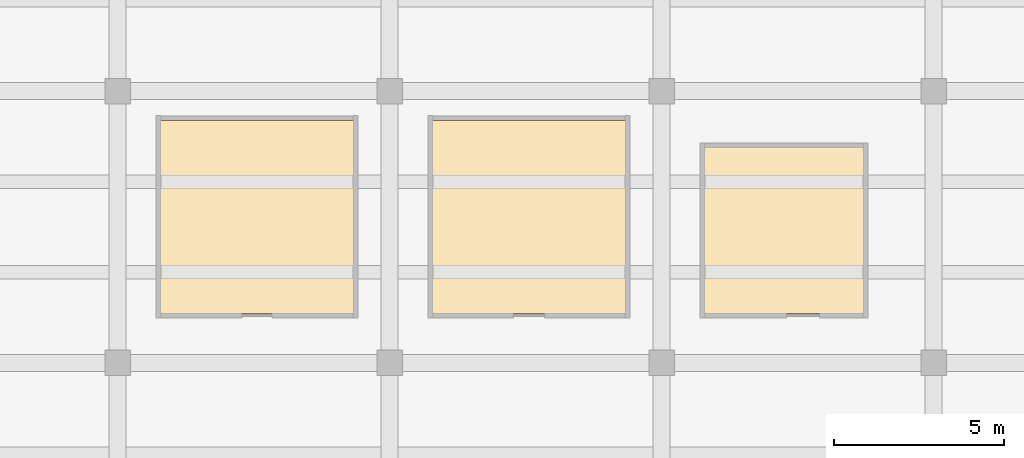
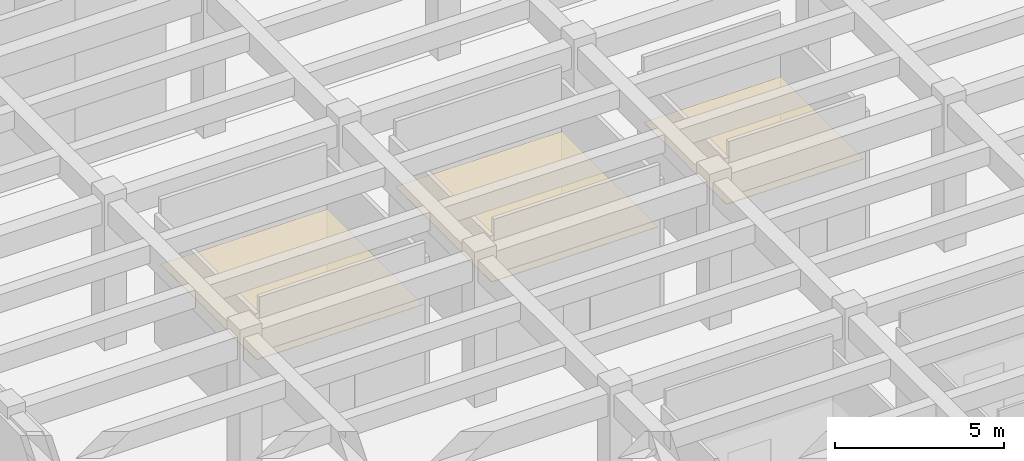
# One storey, part 15 of 19: 3 coverings.
"""IFC4 building model written with IfcOpenShell, lengths in metres."""

from ifc_helpers import new_model, si_unit, direction, frame, origin, place, context, subcontext, project, spatial, polyline, outline, extrude, material, layer, layer_set, type_object, element, save


model = new_model("IFC4")

# Units and contexts
model_context = context("Model", 3, precision=1e-05, world=origin(), true_north=direction((0.0, 1.0)))
body_context = subcontext(model_context, "Body", "Model", "MODEL_VIEW")
ifc_project = project(units=[si_unit("LENGTHUNIT", "METRE"), si_unit("AREAUNIT", "SQUARE_METRE"), si_unit("VOLUMEUNIT", "CUBIC_METRE"), si_unit("PLANEANGLEUNIT", "RADIAN"), si_unit("MASSUNIT", "GRAM", prefix="KILO")], contexts=[model_context])

# Site, building, storey
site_placement = place(None, origin())
site = spatial("IfcSite", under=ifc_project, at=site_placement, CompositionType="ELEMENT")
building_placement = place(site_placement, origin())
building = spatial("IfcBuilding", under=site, at=building_placement, Name="Drelvath Fold Interchange", CompositionType="ELEMENT")
storey_placement = place(building_placement, frame((0.0, 0.0, -5.60009765625)))
storey = spatial("IfcBuildingStorey", under=building, at=storey_placement, Name="B1", CompositionType="ELEMENT", Elevation=-5.60009765625)

# Coverings
ifc_material = material(Name="Perforated Aluminium Acoustic Ceiling", Category="aluminium")
ifc_layer = layer(ifc_material, 0.01806640625, Name="Perforated Aluminium Acoustic Ceiling")
ifc_layer_set = layer_set([ifc_layer], Name="Perforated Aluminium Acoustic Ceiling")
covering_type = type_object("IfcCoveringType", Name="CV-CEIL-AL18", PredefinedType="CEILING", material=ifc_layer_set)
covering_1_placement = place(storey_placement, frame((0.0, 0.0, 2.830078125)))
element("IfcCovering", 1, at=covering_1_placement, inside=storey, type_object=covering_type, Name="Mezzanine Public Washroom Men acoustic ceiling", PredefinedType="CEILING", context=body_context, shape_type="SweptSolid", body=[
    extrude(outline(polyline([(13.261962890625, 44.4619140625), (18.93798828125, 44.4619140625), (18.93798828125, 50.137939453125), (13.261962890625, 50.137939453125), (13.261962890625, 44.4619140625)])), origin(), (0.0, 0.0, 1.0), 0.02001953125),
])
covering_2_placement = place(storey_placement, frame((0.0, 0.0, 2.830078125)))
element("IfcCovering", 2, at=covering_2_placement, inside=storey, type_object=covering_type, Name="Mezzanine Public Washroom Women acoustic ceiling", PredefinedType="CEILING", context=body_context, shape_type="SweptSolid", body=[
    extrude(outline(polyline([(21.261962890625, 44.4619140625), (26.93798828125, 44.4619140625), (26.93798828125, 50.137939453125), (21.261962890625, 50.137939453125), (21.261962890625, 44.4619140625)])), origin(), (0.0, 0.0, 1.0), 0.02001953125),
])
covering_3_placement = place(storey_placement, frame((0.0, 0.0, 2.830078125)))
element("IfcCovering", 3, at=covering_3_placement, inside=storey, type_object=covering_type, Name="Mezzanine Accessible WC acoustic ceiling", PredefinedType="CEILING", context=body_context, shape_type="SweptSolid", body=[
    extrude(outline(polyline([(29.261962890625, 44.4619140625), (33.93798828125, 44.4619140625), (33.93798828125, 49.3369140625), (29.261962890625, 49.3369140625), (29.261962890625, 44.4619140625)])), origin(), (0.0, 0.0, 1.0), 0.02001953125),
])

save(model, "model.ifc")
